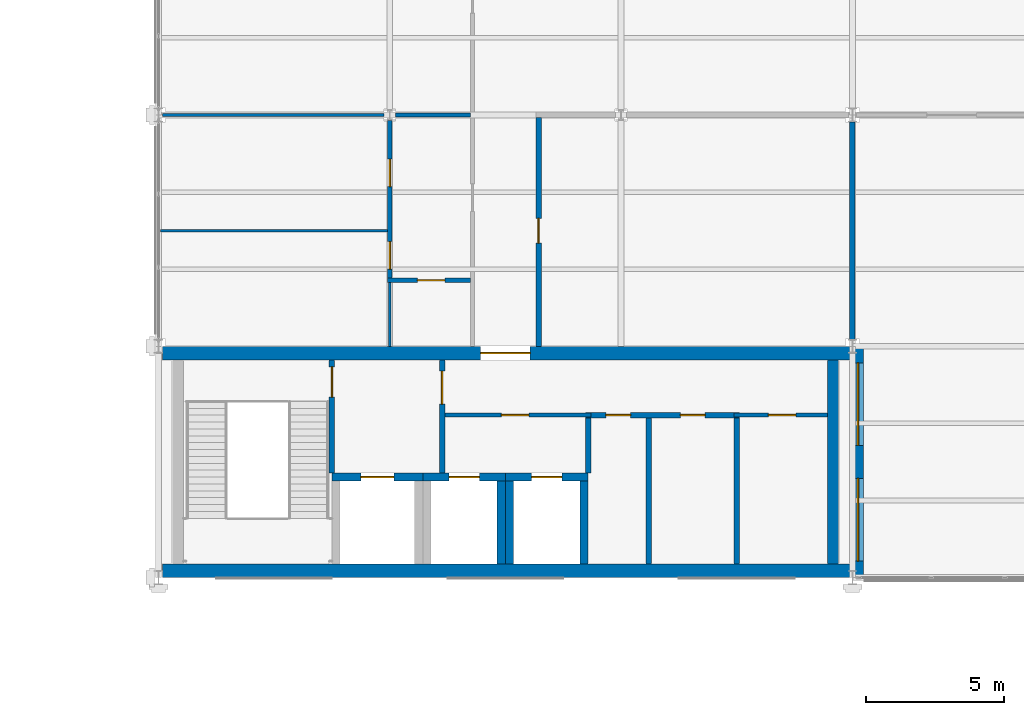
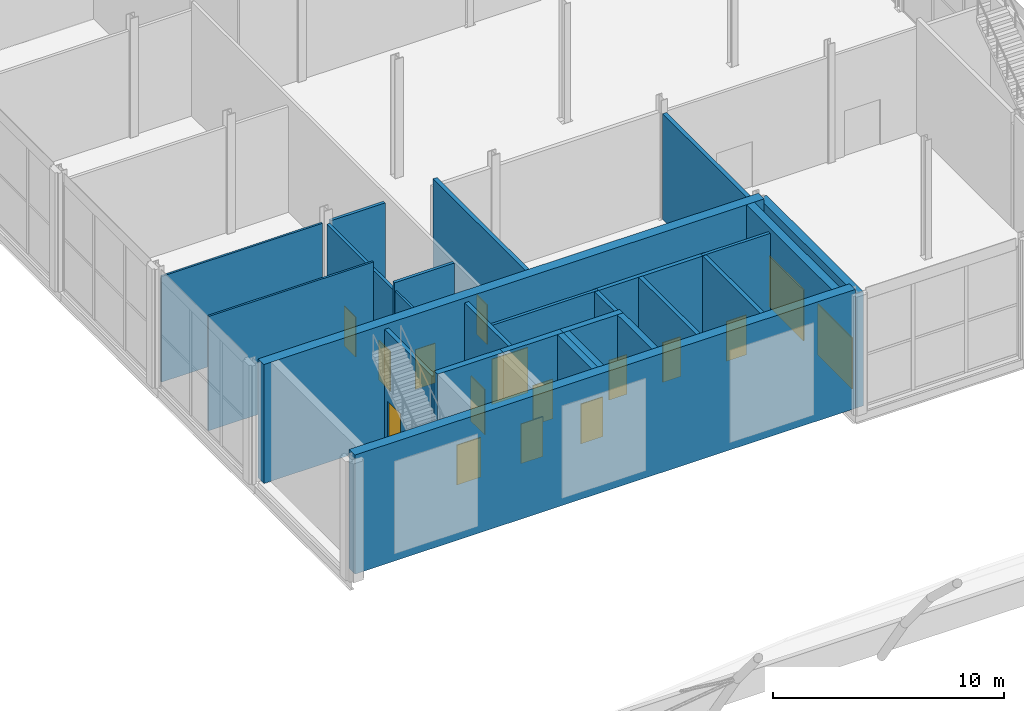
# One storey, part 66 of 77: 26 walls, 14 doors, 2 windows, 16 openings.
"""IFC4 building model written with IfcOpenShell, lengths in metres."""

from ifc_helpers import new_model, si_unit, direction, frame, frame_2d, origin, place, context, subcontext, project, spatial, rectangle, extrude, material, layer, layer_set, type_object, element, fill, save


model = new_model("IFC4")

# Units and contexts
model_context = context("Model", 3, precision=1e-05, world=origin(), true_north=direction((0.0, 1.0)))
body_context = subcontext(model_context, "Body", "Model", "MODEL_VIEW")
ifc_project = project(units=[si_unit("LENGTHUNIT", "METRE"), si_unit("AREAUNIT", "SQUARE_METRE"), si_unit("VOLUMEUNIT", "CUBIC_METRE"), si_unit("PLANEANGLEUNIT", "RADIAN"), si_unit("MASSUNIT", "GRAM", prefix="KILO")], contexts=[model_context])

# Site, building, storey
site_placement = place(None, origin())
site = spatial("IfcSite", under=ifc_project, at=site_placement, CompositionType="ELEMENT")
building_placement = place(site_placement, origin())
building = spatial("IfcBuilding", under=site, at=building_placement, Name="Catenary Quay Ferry Terminal", CompositionType="ELEMENT")
storey_placement = place(building_placement, frame((0.0, 0.0, 10.800048828125)))
storey = spatial("IfcBuildingStorey", under=building, at=storey_placement, Name="L02", CompositionType="ELEMENT", Elevation=10.800048828125)

# Walls
ifc_material_1 = material(Name="Concrete C50/60", Category="concrete")
ifc_layer_1 = layer(ifc_material_1, 0.39990234375)
ifc_layer_set_1 = layer_set([ifc_layer_1], Name="Core wall 400")
wall_type_1 = type_object("IfcWallType", Name="Core wall 400", PredefinedType="SHEAR", material=ifc_layer_set_1)
wall_1_placement = place(storey_placement, frame((49.699951171875, 160.10009765625, 0.0), z_axis=(0.0, 0.0, 1.0), x_axis=(0.0, 1.0, 0.0)))
element("IfcWall", 1, at=wall_1_placement, inside=storey, type_object=wall_type_1, Name="Core wall S4", PredefinedType="SHEAR", context=body_context, shape_type="SweptSolid", body=[
    extrude(rectangle(XDim=7.39990234375, YDim=0.39990234375, at=frame_2d((3.699951171875, 0.0))), origin(), (0.0, 0.0, 1.0), 6.300048828125),
])
ifc_material_2 = material(Name="Concrete C50/60", Category="concrete")
ifc_layer_2 = layer(ifc_material_2, 0.5)
ifc_layer_set_2 = layer_set([ifc_layer_2], Name="Core wall 500")
wall_type_2 = type_object("IfcWallType", Name="Core wall 500", PredefinedType="SHEAR", material=ifc_layer_set_2)
wall_2_placement = place(storey_placement, frame((25.35009765625, 159.85009765625, 0.0), z_axis=(0.0, 0.0, 1.0), x_axis=(1.0, 0.0, 0.0)))
element("IfcWall", 2, at=wall_2_placement, inside=storey, type_object=wall_type_2, Name="Core wall S1", PredefinedType="SHEAR", context=body_context, shape_type="SweptSolid", body=[
    extrude(rectangle(XDim=25.04296875, YDim=0.5, at=frame_2d((12.521484375, 0.0))), origin(), (0.0, 0.0, 1.0), 6.300048828125),
])

# Wall, opening, door
wall_3_placement = place(storey_placement, frame((25.35009765625, 167.75, 0.0), z_axis=(0.0, 0.0, 1.0), x_axis=(1.0, 0.0, 0.0)))
wall_3 = element("IfcWall", 3, at=wall_3_placement, inside=storey, type_object=wall_type_2, Name="Core wall S2", PredefinedType="SHEAR", context=body_context, shape_type="SweptSolid", body=[
    extrude(rectangle(XDim=25.04296875, YDim=0.5, at=frame_2d((12.521484375, 0.0))), origin(), (0.0, 0.0, 1.0), 6.300048828125),
])
opening_1_placement = place(wall_3_placement, frame((11.550048828125, 0.0, 0.0)))
opening_1 = element("IfcOpeningElement", 4, at=opening_1_placement, cuts=wall_3, Name="Opening D170", PredefinedType="OPENING", context=body_context, shape_type="SweptSolid", body=[
    extrude(rectangle(XDim=1.800048828125, YDim=2.39990234375, at=frame_2d((0.89990234375, 1.199951171875))), frame((0.0, 0.260009765625, 0.0), z_axis=(0.0, -1.0, 0.0), x_axis=(1.0, 0.0, 0.0)), (0.0, 0.0, 1.0), 0.52001953125),
])
ifc_material_3 = material(Name="Steel and glass", Category="steel")
door_type_1 = type_object("IfcDoorType", Name="DI3", OperationType="DOUBLE_DOOR_SINGLE_SWING", PredefinedType="DOOR", material=ifc_material_3)
door_1_placement = place(opening_1_placement, frame((1.800048828125, 0.0, 0.0), z_axis=(0.0, 0.0, 1.0), x_axis=(-1.0, 0.0, 0.0)))
door_1 = element("IfcDoor", 5, at=door_1_placement, inside=storey, type_object=door_type_1, Name="Operations Corridor South to Core Corridor S", OperationType="DOUBLE_DOOR_SINGLE_SWING", OverallHeight=2.39990234375, OverallWidth=1.800048828125, PredefinedType="DOOR", context=body_context, shape_type="SweptSolid", body=[
    extrude(rectangle(XDim=1.800048828125, YDim=2.39990234375, at=frame_2d((0.89990234375, 1.199951171875))), frame((0.0, 0.02490234375, 0.0), z_axis=(0.0, -1.0, 0.0), x_axis=(1.0, 0.0, 0.0)), (0.0, 0.0, 1.0), 0.050048828125),
])
fill(opening_1, door_1)

# Wall, openings, windows
ifc_material_4 = material(Name="Masonry and insulation", Category="masonry")
ifc_layer_3 = layer(ifc_material_4, 0.39990234375)
ifc_layer_set_3 = layer_set([ifc_layer_3], Name="EW2")
wall_type_3 = type_object("IfcWallType", Name="EW2", PredefinedType="SOLIDWALL", material=ifc_layer_set_3)
wall_4_placement = place(storey_placement, frame((50.60009765625, 159.60009765625, 0.0), z_axis=(0.0, 0.0, 1.0), x_axis=(0.0, 1.0, 0.0)))
wall_4 = element("IfcWall", 6, at=wall_4_placement, inside=storey, type_object=wall_type_3, Name="P37 wall WL192", PredefinedType="SOLIDWALL", context=body_context, shape_type="SweptSolid", body=[
    extrude(rectangle(XDim=8.39990234375, YDim=0.39990234375, at=frame_2d((4.199951171875, 0.0))), origin(), (0.0, 0.0, 1.0), 6.050048828125),
])
opening_2_placement = place(wall_4_placement, frame((0.60009765625, 0.0, 0.60009765625)))
opening_2 = element("IfcOpeningElement", 7, at=opening_2_placement, cuts=wall_4, Name="Opening W46", PredefinedType="OPENING", context=body_context, shape_type="SweptSolid", body=[
    extrude(rectangle(XDim=3.0, YDim=2.699951171875, at=frame_2d((1.5, 1.35009765625))), frame((0.0, 0.2099609375, 0.0), z_axis=(0.0, -1.0, 0.0), x_axis=(1.0, 0.0, 0.0)), (0.0, 0.0, 1.0), 0.419921875),
])
opening_3_placement = place(wall_4_placement, frame((4.800048828125, 0.0, 0.60009765625)))
opening_3 = element("IfcOpeningElement", 8, at=opening_3_placement, cuts=wall_4, Name="Opening W47", PredefinedType="OPENING", context=body_context, shape_type="SweptSolid", body=[
    extrude(rectangle(XDim=3.0, YDim=2.699951171875, at=frame_2d((1.5, 1.35009765625))), frame((0.0, 0.2099609375, 0.0), z_axis=(0.0, -1.0, 0.0), x_axis=(1.0, 0.0, 0.0)), (0.0, 0.0, 1.0), 0.419921875),
])
ifc_material_5 = material(Name="Aluminium and glass", Category="aluminium")
window_type = type_object("IfcWindowType", Name="WP1", PartitioningType="SINGLE_PANEL", PredefinedType="WINDOW", material=ifc_material_5)
window_1_placement = place(opening_2_placement, origin())
window_1 = element("IfcWindow", 9, at=window_1_placement, inside=storey, type_object=window_type, Name="P37 window W46", OverallHeight=2.699951171875, OverallWidth=3.0, PartitioningType="SINGLE_PANEL", PredefinedType="WINDOW", context=body_context, shape_type="SweptSolid", body=[
    extrude(rectangle(XDim=3.0, YDim=2.699951171875, at=frame_2d((1.5, 1.35009765625))), frame((0.0, 0.030029296875, 0.0), z_axis=(0.0, -1.0, 0.0), x_axis=(1.0, 0.0, 0.0)), (0.0, 0.0, 1.0), 0.06005859375),
])
fill(opening_2, window_1)
window_2_placement = place(opening_3_placement, origin())
window_2 = element("IfcWindow", 10, at=window_2_placement, inside=storey, type_object=window_type, Name="P37 window W47", OverallHeight=2.699951171875, OverallWidth=3.0, PartitioningType="SINGLE_PANEL", PredefinedType="WINDOW", context=body_context, shape_type="SweptSolid", body=[
    extrude(rectangle(XDim=3.0, YDim=2.699951171875, at=frame_2d((1.5, 1.35009765625))), frame((0.0, 0.030029296875, 0.0), z_axis=(0.0, -1.0, 0.0), x_axis=(1.0, 0.0, 0.0)), (0.0, 0.0, 1.0), 0.06005859375),
])
fill(opening_3, window_2)

# Wall, opening, door
ifc_material_6 = material(Name="Plasterboard on steel studs", Category="steel")
ifc_layer_4 = layer(ifc_material_6, 0.14990234375)
ifc_layer_set_4 = layer_set([ifc_layer_4], Name="IP3")
wall_type_4 = type_object("IfcWallType", Name="IP3", PredefinedType="PARTITIONING", material=ifc_layer_set_4)
wall_5_placement = place(storey_placement, frame((35.60009765625, 165.5, 0.0), z_axis=(0.0, 0.0, 1.0), x_axis=(1.0, 0.0, 0.0)))
wall_5 = element("IfcWall", 11, at=wall_5_placement, inside=storey, type_object=wall_type_4, Name="Partition L02 1", PredefinedType="PARTITIONING", context=body_context, shape_type="SweptSolid", body=[
    extrude(rectangle(XDim=5.2998046875, YDim=0.14990234375, at=frame_2d((2.64990234375, 0.0))), origin(), (0.0, 0.0, 1.0), 6.050048828125),
])
opening_4_placement = place(wall_5_placement, frame((2.050048828125, 0.0, 0.0)))
opening_4 = element("IfcOpeningElement", 12, at=opening_4_placement, cuts=wall_5, Name="Opening D158", PredefinedType="OPENING", context=body_context, shape_type="SweptSolid", body=[
    extrude(rectangle(XDim=1.0, YDim=2.10009765625, at=frame_2d((0.5, 1.050048828125))), frame((0.0, 0.0849609375, 0.0), z_axis=(0.0, -1.0, 0.0), x_axis=(1.0, 0.0, 0.0)), (0.0, 0.0, 1.0), 0.169921875),
])
ifc_material_7 = material(Name="Steel", Category="steel")
door_type_2 = type_object("IfcDoorType", Name="DI12", OperationType="SINGLE_SWING_LEFT", PredefinedType="DOOR", material=ifc_material_7)
door_2_placement = place(opening_4_placement, origin())
door_2 = element("IfcDoor", 13, at=door_2_placement, inside=storey, type_object=door_type_2, Name="Passenger Lift Lobby S to Core Corridor S", OperationType="SINGLE_SWING_LEFT", OverallHeight=2.10009765625, OverallWidth=1.0, PredefinedType="DOOR", context=body_context, shape_type="SweptSolid", body=[
    extrude(rectangle(XDim=1.0, YDim=2.10009765625, at=frame_2d((0.5, 1.050048828125))), frame((0.0, 0.02490234375, 0.0), z_axis=(0.0, -1.0, 0.0), x_axis=(1.0, 0.0, 0.0)), (0.0, 0.0, 1.0), 0.050048828125),
])
fill(opening_4, door_2)

wall_6_placement = place(storey_placement, frame((46.10009765625, 165.5, 0.0), z_axis=(0.0, 0.0, 1.0), x_axis=(1.0, 0.0, 0.0)))
wall_6 = element("IfcWall", 14, at=wall_6_placement, inside=storey, type_object=wall_type_4, Name="Partition L02 3", PredefinedType="PARTITIONING", context=body_context, shape_type="SweptSolid", body=[
    extrude(rectangle(XDim=3.39990234375, YDim=0.14990234375, at=frame_2d((1.699951171875, 0.0))), origin(), (0.0, 0.0, 1.0), 6.050048828125),
])
opening_5_placement = place(wall_6_placement, frame((1.25, 0.0, 0.0)))
opening_5 = element("IfcOpeningElement", 15, at=opening_5_placement, cuts=wall_6, Name="Opening D166", PredefinedType="OPENING", context=body_context, shape_type="SweptSolid", body=[
    extrude(rectangle(XDim=1.0, YDim=2.10009765625, at=frame_2d((0.5, 1.050048828125))), frame((0.0, 0.0849609375, 0.0), z_axis=(0.0, -1.0, 0.0), x_axis=(1.0, 0.0, 0.0)), (0.0, 0.0, 1.0), 0.169921875),
])
ifc_material_8 = material(Name="Timber", Category="wood")
door_type_3 = type_object("IfcDoorType", Name="DI8", OperationType="SINGLE_SWING_LEFT", PredefinedType="DOOR", material=ifc_material_8)
door_3_placement = place(opening_5_placement, frame((1.0, 0.0, 0.0), z_axis=(0.0, 0.0, 1.0), x_axis=(-1.0, 0.0, 0.0)))
door_3 = element("IfcDoor", 16, at=door_3_placement, inside=storey, type_object=door_type_3, Name="Accessible WC S to Core Corridor S", OperationType="SINGLE_SWING_RIGHT", OverallHeight=2.10009765625, OverallWidth=1.0, PredefinedType="DOOR", context=body_context, shape_type="SweptSolid", body=[
    extrude(rectangle(XDim=1.0, YDim=2.10009765625, at=frame_2d((0.5, 1.050048828125))), frame((0.0, 0.02490234375, 0.0), z_axis=(0.0, -1.0, 0.0), x_axis=(1.0, 0.0, 0.0)), (0.0, 0.0, 1.0), 0.050048828125),
])
fill(opening_5, door_3)

wall_7_placement = place(storey_placement, frame((33.52490234375, 170.39990234375, 0.0), z_axis=(0.0, 0.0, 1.0), x_axis=(1.0, 0.0, 0.0)))
wall_7 = element("IfcWall", 17, at=wall_7_placement, inside=storey, type_object=wall_type_4, Name="Partition L02 5", PredefinedType="PARTITIONING", context=body_context, shape_type="SweptSolid", body=[
    extrude(rectangle(XDim=3.0, YDim=0.14990234375, at=frame_2d((1.5, 0.0))), origin(), (0.0, 0.0, 1.0), 6.050048828125),
])
opening_6_placement = place(wall_7_placement, frame((1.074951171875, 0.0, 0.0)))
opening_6 = element("IfcOpeningElement", 18, at=opening_6_placement, cuts=wall_7, Name="Opening D172", PredefinedType="OPENING", context=body_context, shape_type="SweptSolid", body=[
    extrude(rectangle(XDim=1.0, YDim=2.10009765625, at=frame_2d((0.5, 1.050048828125))), frame((0.0, 0.0849609375, 0.0), z_axis=(0.0, -1.0, 0.0), x_axis=(1.0, 0.0, 0.0)), (0.0, 0.0, 1.0), 0.169921875),
])
door_4_placement = place(opening_6_placement, frame((1.0, 0.0, 0.0), z_axis=(0.0, 0.0, 1.0), x_axis=(-1.0, 0.0, 0.0)))
door_4 = element("IfcDoor", 19, at=door_4_placement, inside=storey, type_object=door_type_3, Name="Staff Accessible WC L02 to Staff WC Lobby L02", OperationType="SINGLE_SWING_RIGHT", OverallHeight=2.10009765625, OverallWidth=1.0, PredefinedType="DOOR", context=body_context, shape_type="SweptSolid", body=[
    extrude(rectangle(XDim=1.0, YDim=2.10009765625, at=frame_2d((0.5, 1.050048828125))), frame((0.0, 0.02490234375, 0.0), z_axis=(0.0, -1.0, 0.0), x_axis=(1.0, 0.0, 0.0)), (0.0, 0.0, 1.0), 0.050048828125),
])
fill(opening_6, door_4)

# Wall
wall_8_placement = place(storey_placement, frame((33.802001953125, 176.39990234375, 0.0), z_axis=(0.0, 0.0, 1.0), x_axis=(1.0, 0.0, 0.0)))
element("IfcWall", 20, at=wall_8_placement, inside=storey, type_object=wall_type_4, Name="Partition L02 8", PredefinedType="PARTITIONING", context=body_context, shape_type="SweptSolid", body=[
    extrude(rectangle(XDim=2.722900390625, YDim=0.14990234375, at=frame_2d((1.361328125, 0.0))), origin(), (0.0, 0.0, 1.0), 5.59619140625),
])

# Wall, openings, doors
wall_9_placement = place(storey_placement, frame((33.60009765625, 170.47509765625, 0.0), z_axis=(0.0, 0.0, 1.0), x_axis=(0.0, 1.0, 0.0)))
wall_9 = element("IfcWall", 21, at=wall_9_placement, inside=storey, type_object=wall_type_4, Name="Partition L02 32", PredefinedType="PARTITIONING", context=body_context, shape_type="SweptSolid", body=[
    extrude(rectangle(XDim=5.721435546875, YDim=0.14990234375, at=frame_2d((2.86083984375, 0.0))), origin(), (0.0, 0.0, 1.0), 5.59619140625),
])
opening_7_placement = place(wall_9_placement, frame((0.324951171875, 0.0, 0.0)))
opening_7 = element("IfcOpeningElement", 22, at=opening_7_placement, cuts=wall_9, Name="Opening D173", PredefinedType="OPENING", context=body_context, shape_type="SweptSolid", body=[
    extrude(rectangle(XDim=1.0, YDim=2.10009765625, at=frame_2d((0.5, 1.050048828125))), frame((0.0, 0.0849609375, 0.0), z_axis=(0.0, -1.0, 0.0), x_axis=(1.0, 0.0, 0.0)), (0.0, 0.0, 1.0), 0.169921875),
])
opening_8_placement = place(wall_9_placement, frame((3.324951171875, 0.0, 0.0)))
opening_8 = element("IfcOpeningElement", 23, at=opening_8_placement, cuts=wall_9, Name="Opening D174", PredefinedType="OPENING", context=body_context, shape_type="SweptSolid", body=[
    extrude(rectangle(XDim=1.0, YDim=2.10009765625, at=frame_2d((0.5, 1.050048828125))), frame((0.0, 0.0849609375, 0.0), z_axis=(0.0, -1.0, 0.0), x_axis=(1.0, 0.0, 0.0)), (0.0, 0.0, 1.0), 0.169921875),
])
door_5_placement = place(opening_7_placement, origin())
door_5 = element("IfcDoor", 24, at=door_5_placement, inside=storey, type_object=door_type_3, Name="Staff Women WC L02 to Staff WC Lobby L02", OperationType="SINGLE_SWING_LEFT", OverallHeight=2.10009765625, OverallWidth=1.0, PredefinedType="DOOR", context=body_context, shape_type="SweptSolid", body=[
    extrude(rectangle(XDim=1.0, YDim=2.10009765625, at=frame_2d((0.5, 1.050048828125))), frame((0.0, 0.02490234375, 0.0), z_axis=(0.0, -1.0, 0.0), x_axis=(1.0, 0.0, 0.0)), (0.0, 0.0, 1.0), 0.050048828125),
])
fill(opening_7, door_5)
door_6_placement = place(opening_8_placement, origin())
door_6 = element("IfcDoor", 25, at=door_6_placement, inside=storey, type_object=door_type_3, Name="Staff Men WC L02 to Staff WC Lobby L02", OperationType="SINGLE_SWING_LEFT", OverallHeight=2.10009765625, OverallWidth=1.0, PredefinedType="DOOR", context=body_context, shape_type="SweptSolid", body=[
    extrude(rectangle(XDim=1.0, YDim=2.10009765625, at=frame_2d((0.5, 1.050048828125))), frame((0.0, 0.02490234375, 0.0), z_axis=(0.0, -1.0, 0.0), x_axis=(1.0, 0.0, 0.0)), (0.0, 0.0, 1.0), 0.050048828125),
])
fill(opening_8, door_6)

# Wall, opening, door
ifc_material_9 = material(Name="Blockwork and plaster", Category="masonry")
ifc_layer_5 = layer(ifc_material_9, 0.199951171875)
ifc_layer_set_5 = layer_set([ifc_layer_5], Name="IP4")
wall_type_5 = type_object("IfcWallType", Name="IP4", PredefinedType="PARTITIONING", material=ifc_layer_set_5)
wall_10_placement = place(storey_placement, frame((31.5, 163.39990234375, 0.0), z_axis=(0.0, 0.0, 1.0), x_axis=(0.0, 1.0, 0.0)))
wall_10 = element("IfcWall", 26, at=wall_10_placement, inside=storey, type_object=wall_type_5, Name="Partition L02 29", PredefinedType="PARTITIONING", context=body_context, shape_type="SweptSolid", body=[
    extrude(rectangle(XDim=4.10009765625, YDim=0.199951171875, at=frame_2d((2.050048828125, 0.0))), origin(), (0.0, 0.0, 1.0), 6.050048828125),
])
opening_9_placement = place(wall_10_placement, frame((2.75, 0.0, 0.0)))
opening_9 = element("IfcOpeningElement", 27, at=opening_9_placement, cuts=wall_10, Name="Opening D168", PredefinedType="OPENING", context=body_context, shape_type="SweptSolid", body=[
    extrude(rectangle(XDim=1.10009765625, YDim=2.39990234375, at=frame_2d((0.550048828125, 1.199951171875))), frame((0.0, 0.10986328125, 0.0), z_axis=(0.0, -1.0, 0.0), x_axis=(1.0, 0.0, 0.0)), (0.0, 0.0, 1.0), 0.219970703125),
])
ifc_material_10 = material(Name="Steel", Category="steel")
door_type_4 = type_object("IfcDoorType", Name="DI4", OperationType="SINGLE_SWING_LEFT", PredefinedType="DOOR", material=ifc_material_10)
door_7_placement = place(opening_9_placement, origin())
door_7 = element("IfcDoor", 28, at=door_7_placement, inside=storey, type_object=door_type_4, Name="Stair HS2 to Fire-fighting Lobby S", OperationType="SINGLE_SWING_LEFT", OverallHeight=2.39990234375, OverallWidth=1.10009765625, PredefinedType="DOOR", context=body_context, shape_type="SweptSolid", body=[
    extrude(rectangle(XDim=1.10009765625, YDim=2.39990234375, at=frame_2d((0.550048828125, 1.199951171875))), frame((0.0, 0.02490234375, 0.0), z_axis=(0.0, -1.0, 0.0), x_axis=(1.0, 0.0, 0.0)), (0.0, 0.0, 1.0), 0.050048828125),
])
fill(opening_9, door_7)

wall_11_placement = place(storey_placement, frame((35.5, 163.39990234375, 0.0), z_axis=(0.0, 0.0, 1.0), x_axis=(0.0, 1.0, 0.0)))
wall_11 = element("IfcWall", 29, at=wall_11_placement, inside=storey, type_object=wall_type_5, Name="Partition L02 34", PredefinedType="PARTITIONING", context=body_context, shape_type="SweptSolid", body=[
    extrude(rectangle(XDim=4.10009765625, YDim=0.199951171875, at=frame_2d((2.050048828125, 0.0))), origin(), (0.0, 0.0, 1.0), 6.050048828125),
])
opening_10_placement = place(wall_11_placement, frame((2.5, 0.0, 0.0)))
opening_10 = element("IfcOpeningElement", 30, at=opening_10_placement, cuts=wall_11, Name="Opening D160", PredefinedType="OPENING", context=body_context, shape_type="SweptSolid", body=[
    extrude(rectangle(XDim=1.199951171875, YDim=2.39990234375, at=frame_2d((0.60009765625, 1.199951171875))), frame((0.0, 0.10986328125, 0.0), z_axis=(0.0, -1.0, 0.0), x_axis=(1.0, 0.0, 0.0)), (0.0, 0.0, 1.0), 0.219970703125),
])
ifc_material_11 = material(Name="Steel and glass", Category="steel")
door_type_5 = type_object("IfcDoorType", Name="DI10", OperationType="SINGLE_SWING_LEFT", PredefinedType="DOOR", material=ifc_material_11)
door_8_placement = place(opening_10_placement, origin())
door_8 = element("IfcDoor", 31, at=door_8_placement, inside=storey, type_object=door_type_5, Name="Fire-fighting Lobby S to Core Corridor S", OperationType="SINGLE_SWING_LEFT", OverallHeight=2.39990234375, OverallWidth=1.199951171875, PredefinedType="DOOR", context=body_context, shape_type="SweptSolid", body=[
    extrude(rectangle(XDim=1.199951171875, YDim=2.39990234375, at=frame_2d((0.60009765625, 1.199951171875))), frame((0.0, 0.02490234375, 0.0), z_axis=(0.0, -1.0, 0.0), x_axis=(1.0, 0.0, 0.0)), (0.0, 0.0, 1.0), 0.050048828125),
])
fill(opening_10, door_8)

# Wall, openings, doors
ifc_material_12 = material(Name="Blockwork and plaster", Category="masonry")
ifc_layer_6 = layer(ifc_material_12, 0.199951171875)
ifc_layer_set_6 = layer_set([ifc_layer_6], Name="IP6")
wall_type_6 = type_object("IfcWallType", Name="IP6", PredefinedType="PARTITIONING", material=ifc_layer_set_6)
wall_12_placement = place(storey_placement, frame((40.699951171875, 165.5, 0.0), z_axis=(0.0, 0.0, 1.0), x_axis=(1.0, 0.0, 0.0)))
wall_12 = element("IfcWall", 32, at=wall_12_placement, inside=storey, type_object=wall_type_6, Name="Partition L02 2", PredefinedType="PARTITIONING", context=body_context, shape_type="SweptSolid", body=[
    extrude(rectangle(XDim=5.60009765625, YDim=0.199951171875, at=frame_2d((2.800048828125, 0.0))), origin(), (0.0, 0.0, 1.0), 6.050048828125),
])
opening_11_placement = place(wall_12_placement, frame((0.75, 0.0, 0.0)))
opening_11 = element("IfcOpeningElement", 33, at=opening_11_placement, cuts=wall_12, Name="Opening D162", PredefinedType="OPENING", context=body_context, shape_type="SweptSolid", body=[
    extrude(rectangle(XDim=0.89990234375, YDim=2.10009765625, at=frame_2d((0.449951171875, 1.050048828125))), frame((0.0, 0.10986328125, 0.0), z_axis=(0.0, -1.0, 0.0), x_axis=(1.0, 0.0, 0.0)), (0.0, 0.0, 1.0), 0.219970703125),
])
opening_12_placement = place(wall_12_placement, frame((3.449951171875, 0.0, 0.0)))
opening_12 = element("IfcOpeningElement", 34, at=opening_12_placement, cuts=wall_12, Name="Opening D164", PredefinedType="OPENING", context=body_context, shape_type="SweptSolid", body=[
    extrude(rectangle(XDim=0.89990234375, YDim=2.10009765625, at=frame_2d((0.449951171875, 1.050048828125))), frame((0.0, 0.10986328125, 0.0), z_axis=(0.0, -1.0, 0.0), x_axis=(1.0, 0.0, 0.0)), (0.0, 0.0, 1.0), 0.219970703125),
])
ifc_material_13 = material(Name="Steel", Category="steel")
door_type_6 = type_object("IfcDoorType", Name="DI9", OperationType="SINGLE_SWING_LEFT", PredefinedType="DOOR", material=ifc_material_13)
door_9_placement = place(opening_11_placement, frame((0.89990234375, 0.0, 0.0), z_axis=(0.0, 0.0, 1.0), x_axis=(-1.0, 0.0, 0.0)))
door_9 = element("IfcDoor", 35, at=door_9_placement, inside=storey, type_object=door_type_6, Name="Riser Shaft S to Core Corridor S", OperationType="SINGLE_SWING_RIGHT", OverallHeight=2.10009765625, OverallWidth=0.89990234375, PredefinedType="DOOR", context=body_context, shape_type="SweptSolid", body=[
    extrude(rectangle(XDim=0.89990234375, YDim=2.10009765625, at=frame_2d((0.449951171875, 1.050048828125))), frame((0.0, 0.02490234375, 0.0), z_axis=(0.0, -1.0, 0.0), x_axis=(1.0, 0.0, 0.0)), (0.0, 0.0, 1.0), 0.050048828125),
])
fill(opening_11, door_9)
door_10_placement = place(opening_12_placement, frame((0.89990234375, 0.0, 0.0), z_axis=(0.0, 0.0, 1.0), x_axis=(-1.0, 0.0, 0.0)))
door_10 = element("IfcDoor", 36, at=door_10_placement, inside=storey, type_object=door_type_6, Name="Cleaners Store S to Core Corridor S", OperationType="SINGLE_SWING_RIGHT", OverallHeight=2.10009765625, OverallWidth=0.89990234375, PredefinedType="DOOR", context=body_context, shape_type="SweptSolid", body=[
    extrude(rectangle(XDim=0.89990234375, YDim=2.10009765625, at=frame_2d((0.449951171875, 1.050048828125))), frame((0.0, 0.02490234375, 0.0), z_axis=(0.0, -1.0, 0.0), x_axis=(1.0, 0.0, 0.0)), (0.0, 0.0, 1.0), 0.050048828125),
])
fill(opening_12, door_10)

# Wall, opening, door
wall_13_placement = place(storey_placement, frame((39.0, 168.0, 0.0), z_axis=(0.0, 0.0, 1.0), x_axis=(0.0, 1.0, 0.0)))
wall_13 = element("IfcWall", 37, at=wall_13_placement, inside=storey, type_object=wall_type_6, Name="Partition L02 37", PredefinedType="PARTITIONING", context=body_context, shape_type="SweptSolid", body=[
    extrude(rectangle(XDim=8.300048828125, YDim=0.199951171875, at=frame_2d((4.14990234375, 0.0))), origin(), (0.0, 0.0, 1.0), 6.050048828125),
])
opening_13_placement = place(wall_13_placement, frame((3.75, 0.0, 0.0)))
opening_13 = element("IfcOpeningElement", 38, at=opening_13_placement, cuts=wall_13, Name="Opening D179", PredefinedType="OPENING", context=body_context, shape_type="SweptSolid", body=[
    extrude(rectangle(XDim=0.89990234375, YDim=2.10009765625, at=frame_2d((0.449951171875, 1.050048828125))), frame((0.0, 0.10986328125, 0.0), z_axis=(0.0, -1.0, 0.0), x_axis=(1.0, 0.0, 0.0)), (0.0, 0.0, 1.0), 0.219970703125),
])
door_11_placement = place(opening_13_placement, frame((0.89990234375, 0.0, 0.0), z_axis=(0.0, 0.0, 1.0), x_axis=(-1.0, 0.0, 0.0)))
door_11 = element("IfcDoor", 39, at=door_11_placement, inside=storey, type_object=door_type_6, Name="Records Archive to Operations Corridor South", OperationType="SINGLE_SWING_RIGHT", OverallHeight=2.10009765625, OverallWidth=0.89990234375, PredefinedType="DOOR", context=body_context, shape_type="SweptSolid", body=[
    extrude(rectangle(XDim=0.89990234375, YDim=2.10009765625, at=frame_2d((0.449951171875, 1.050048828125))), frame((0.0, 0.02490234375, 0.0), z_axis=(0.0, -1.0, 0.0), x_axis=(1.0, 0.0, 0.0)), (0.0, 0.0, 1.0), 0.050048828125),
])
fill(opening_13, door_11)

# Walls
wall_14_placement = place(storey_placement, frame((40.800048828125, 163.39990234375, 0.0), z_axis=(0.0, 0.0, 1.0), x_axis=(0.0, 1.0, 0.0)))
element("IfcWall", 40, at=wall_14_placement, inside=storey, type_object=wall_type_6, Name="Partition L02 40", PredefinedType="PARTITIONING", context=body_context, shape_type="SweptSolid", body=[
    extrude(rectangle(XDim=2.0, YDim=0.199951171875, at=frame_2d((1.0, 0.0))), origin(), (0.0, 0.0, 1.0), 6.050048828125),
])
for number, where, z_axis, x_axis, name in (
    (41, (43.0, 160.10009765625, 0.0), (0.0, 0.0, 1.0), (0.0, 1.0, 0.0), "Partition L02 41"),
    (42, (46.199951171875, 160.10009765625, 0.0), (0.0, 0.0, 1.0), (0.0, 1.0, 0.0), "Partition L02 43"),
):
    element("IfcWall", number, at=place(storey_placement, frame(where, z_axis=z_axis, x_axis=x_axis)), inside=storey, type_object=wall_type_6, Name=name, PredefinedType="PARTITIONING", context=body_context, shape_type="SweptSolid", body=[
        extrude(rectangle(XDim=5.2998046875, YDim=0.199951171875, at=frame_2d((2.64990234375, 0.0))), origin(), (0.0, 0.0, 1.0), 6.050048828125),
    ])
wall_15_placement = place(storey_placement, frame((50.39990234375, 168.25, 0.0), z_axis=(0.0, 0.0, 1.0), x_axis=(0.0, 1.0, 0.0)))
element("IfcWall", 43, at=wall_15_placement, inside=storey, type_object=wall_type_6, Name="Partition L02 44", PredefinedType="PARTITIONING", context=body_context, shape_type="SweptSolid", body=[
    extrude(rectangle(XDim=7.89990234375, YDim=0.199951171875, at=frame_2d((3.949951171875, 0.0))), origin(), (0.0, 0.0, 1.0), 5.59619140625),
])
ifc_material_14 = material(Name="Plasterboard on steel studs", Category="steel")
ifc_layer_7 = layer(ifc_material_14, 0.10009765625)
ifc_layer_set_7 = layer_set([ifc_layer_7], Name="IP8")
wall_type_7 = type_object("IfcWallType", Name="IP8", PredefinedType="PARTITIONING", material=ifc_layer_set_7)
wall_16_placement = place(storey_placement, frame((25.27490234375, 172.199951171875, 0.0), z_axis=(0.0, 0.0, 1.0), x_axis=(1.0, 0.0, 0.0)))
element("IfcWall", 44, at=wall_16_placement, inside=storey, type_object=wall_type_7, Name="Partition L02 6", PredefinedType="PARTITIONING", context=body_context, shape_type="SweptSolid", body=[
    extrude(rectangle(XDim=8.25, YDim=0.10009765625, at=frame_2d((4.125, 0.0))), origin(), (0.0, 0.0, 1.0), 6.050048828125),
])
wall_17_placement = place(storey_placement, frame((25.35009765625, 176.39990234375, 0.0), z_axis=(0.0, 0.0, 1.0), x_axis=(1.0, 0.0, 0.0)))
element("IfcWall", 45, at=wall_17_placement, inside=storey, type_object=wall_type_7, Name="Partition L02 7", PredefinedType="PARTITIONING", context=body_context, shape_type="SweptSolid", body=[
    extrude(rectangle(XDim=8.0478515625, YDim=0.10009765625, at=frame_2d((4.02392578125, 0.0))), origin(), (0.0, 0.0, 1.0), 5.59619140625),
])
wall_18_placement = place(storey_placement, frame((33.60009765625, 168.0, 0.0), z_axis=(0.0, 0.0, 1.0), x_axis=(0.0, 1.0, 0.0)))
element("IfcWall", 46, at=wall_18_placement, inside=storey, type_object=wall_type_7, Name="Partition L02 31", PredefinedType="PARTITIONING", context=body_context, shape_type="SweptSolid", body=[
    extrude(rectangle(XDim=2.324951171875, YDim=0.10009765625, at=frame_2d((1.16259765625, 0.0))), origin(), (0.0, 0.0, 1.0), 5.59619140625),
])

# Wall, opening, door
ifc_material_15 = material(Name="Concrete C50/60", Category="concrete")
ifc_layer_8 = layer(ifc_material_15, 0.300048828125)
ifc_layer_set_8 = layer_set([ifc_layer_8], Name="Shaft wall 300")
wall_type_8 = type_object("IfcWallType", Name="Shaft wall 300", PredefinedType="SHEAR", material=ifc_layer_set_8)
wall_19_placement = place(storey_placement, frame((31.5, 163.25, 0.0), z_axis=(0.0, 0.0, 1.0), x_axis=(1.0, 0.0, 0.0)))
wall_19 = element("IfcWall", 47, at=wall_19_placement, inside=storey, type_object=wall_type_8, Name="Shaft wall FL1 N", PredefinedType="SHEAR", context=body_context, shape_type="SweptSolid", body=[
    extrude(rectangle(XDim=3.300048828125, YDim=0.300048828125, at=frame_2d((1.64990234375, 0.0))), origin(), (0.0, 0.0, 1.0), 6.300048828125),
])
opening_14_placement = place(wall_19_placement, frame((1.050048828125, 0.0, 0.0)))
opening_14 = element("IfcOpeningElement", 48, at=opening_14_placement, cuts=wall_19, Name="Opening LD7", PredefinedType="OPENING", context=body_context, shape_type="SweptSolid", body=[
    extrude(rectangle(XDim=1.199951171875, YDim=2.10009765625, at=frame_2d((0.60009765625, 1.050048828125))), frame((0.0, 0.159912109375, 0.0), z_axis=(0.0, -1.0, 0.0), x_axis=(1.0, 0.0, 0.0)), (0.0, 0.0, 1.0), 0.320068359375),
])
ifc_material_16 = material(Name="Stainless steel", Category="steel")
door_type_7 = type_object("IfcDoorType", Name="DL2", OperationType="SLIDING_TO_LEFT", PredefinedType="DOOR", material=ifc_material_16)
door_12_placement = place(opening_14_placement, origin())
door_12 = element("IfcDoor", 49, at=door_12_placement, inside=storey, type_object=door_type_7, Name="Lift FL1 landing door L02", OperationType="SLIDING_TO_LEFT", OverallHeight=2.10009765625, OverallWidth=1.199951171875, PredefinedType="DOOR", context=body_context, shape_type="SweptSolid", body=[
    extrude(rectangle(XDim=1.199951171875, YDim=2.10009765625, at=frame_2d((0.60009765625, 1.050048828125))), frame((0.0, 0.02490234375, 0.0), z_axis=(0.0, -1.0, 0.0), x_axis=(1.0, 0.0, 0.0)), (0.0, 0.0, 1.0), 0.050048828125),
])
fill(opening_14, door_12)

# Wall
wall_20_placement = place(storey_placement, frame((37.64990234375, 160.10009765625, 0.0), z_axis=(0.0, 0.0, 1.0), x_axis=(0.0, 1.0, 0.0)))
element("IfcWall", 50, at=wall_20_placement, inside=storey, type_object=wall_type_8, Name="Shaft wall GL1 E", PredefinedType="SHEAR", context=body_context, shape_type="SweptSolid", body=[
    extrude(rectangle(XDim=3.0, YDim=0.300048828125, at=frame_2d((1.5, 0.0))), origin(), (0.0, 0.0, 1.0), 6.300048828125),
])

# Wall, opening, door
wall_21_placement = place(storey_placement, frame((34.800048828125, 163.25, 0.0), z_axis=(0.0, 0.0, 1.0), x_axis=(1.0, 0.0, 0.0)))
wall_21 = element("IfcWall", 51, at=wall_21_placement, inside=storey, type_object=wall_type_8, Name="Shaft wall GL1 N", PredefinedType="SHEAR", context=body_context, shape_type="SweptSolid", body=[
    extrude(rectangle(XDim=3.0, YDim=0.300048828125, at=frame_2d((1.5, 0.0))), origin(), (0.0, 0.0, 1.0), 6.300048828125),
])
opening_15_placement = place(wall_21_placement, frame((0.949951171875, 0.0, 0.0)))
opening_15 = element("IfcOpeningElement", 52, at=opening_15_placement, cuts=wall_21, Name="Opening LD17", PredefinedType="OPENING", context=body_context, shape_type="SweptSolid", body=[
    extrude(rectangle(XDim=1.10009765625, YDim=2.10009765625, at=frame_2d((0.550048828125, 1.050048828125))), frame((0.0, 0.159912109375, 0.0), z_axis=(0.0, -1.0, 0.0), x_axis=(1.0, 0.0, 0.0)), (0.0, 0.0, 1.0), 0.320068359375),
])
ifc_material_17 = material(Name="Stainless steel", Category="steel")
door_type_8 = type_object("IfcDoorType", Name="DL1", OperationType="SLIDING_TO_LEFT", PredefinedType="DOOR", material=ifc_material_17)
door_13_placement = place(opening_15_placement, origin())
door_13 = element("IfcDoor", 53, at=door_13_placement, inside=storey, type_object=door_type_8, Name="Lift GL1 landing door L02", OperationType="SLIDING_TO_LEFT", OverallHeight=2.10009765625, OverallWidth=1.10009765625, PredefinedType="DOOR", context=body_context, shape_type="SweptSolid", body=[
    extrude(rectangle(XDim=1.10009765625, YDim=2.10009765625, at=frame_2d((0.550048828125, 1.050048828125))), frame((0.0, 0.02490234375, 0.0), z_axis=(0.0, -1.0, 0.0), x_axis=(1.0, 0.0, 0.0)), (0.0, 0.0, 1.0), 0.050048828125),
])
fill(opening_15, door_13)

# Walls
for number, where, z_axis, x_axis, name in (
    (54, (40.64990234375, 160.10009765625, 0.0), (0.0, 0.0, 1.0), (0.0, 1.0, 0.0), "Shaft wall GL2 E"),
    (55, (37.949951171875, 160.10009765625, 0.0), (0.0, 0.0, 1.0), (0.0, 1.0, 0.0), "Shaft wall GL2 W"),
):
    element("IfcWall", number, at=place(storey_placement, frame(where, z_axis=z_axis, x_axis=x_axis)), inside=storey, type_object=wall_type_8, Name=name, PredefinedType="SHEAR", context=body_context, shape_type="SweptSolid", body=[
        extrude(rectangle(XDim=3.0, YDim=0.300048828125, at=frame_2d((1.5, 0.0))), origin(), (0.0, 0.0, 1.0), 6.300048828125),
    ])

# Wall, opening, door
wall_22_placement = place(storey_placement, frame((37.800048828125, 163.25, 0.0), z_axis=(0.0, 0.0, 1.0), x_axis=(1.0, 0.0, 0.0)))
wall_22 = element("IfcWall", 56, at=wall_22_placement, inside=storey, type_object=wall_type_8, Name="Shaft wall GL2 N", PredefinedType="SHEAR", context=body_context, shape_type="SweptSolid", body=[
    extrude(rectangle(XDim=3.0, YDim=0.300048828125, at=frame_2d((1.5, 0.0))), origin(), (0.0, 0.0, 1.0), 6.300048828125),
])
opening_16_placement = place(wall_22_placement, frame((0.949951171875, 0.0, 0.0)))
opening_16 = element("IfcOpeningElement", 57, at=opening_16_placement, cuts=wall_22, Name="Opening LD22", PredefinedType="OPENING", context=body_context, shape_type="SweptSolid", body=[
    extrude(rectangle(XDim=1.10009765625, YDim=2.10009765625, at=frame_2d((0.550048828125, 1.050048828125))), frame((0.0, 0.159912109375, 0.0), z_axis=(0.0, -1.0, 0.0), x_axis=(1.0, 0.0, 0.0)), (0.0, 0.0, 1.0), 0.320068359375),
])
door_14_placement = place(opening_16_placement, origin())
door_14 = element("IfcDoor", 58, at=door_14_placement, inside=storey, type_object=door_type_8, Name="Lift GL2 landing door L02", OperationType="SLIDING_TO_LEFT", OverallHeight=2.10009765625, OverallWidth=1.10009765625, PredefinedType="DOOR", context=body_context, shape_type="SweptSolid", body=[
    extrude(rectangle(XDim=1.10009765625, YDim=2.10009765625, at=frame_2d((0.550048828125, 1.050048828125))), frame((0.0, 0.02490234375, 0.0), z_axis=(0.0, -1.0, 0.0), x_axis=(1.0, 0.0, 0.0)), (0.0, 0.0, 1.0), 0.050048828125),
])
fill(opening_16, door_14)

save(model, "model.ifc")
